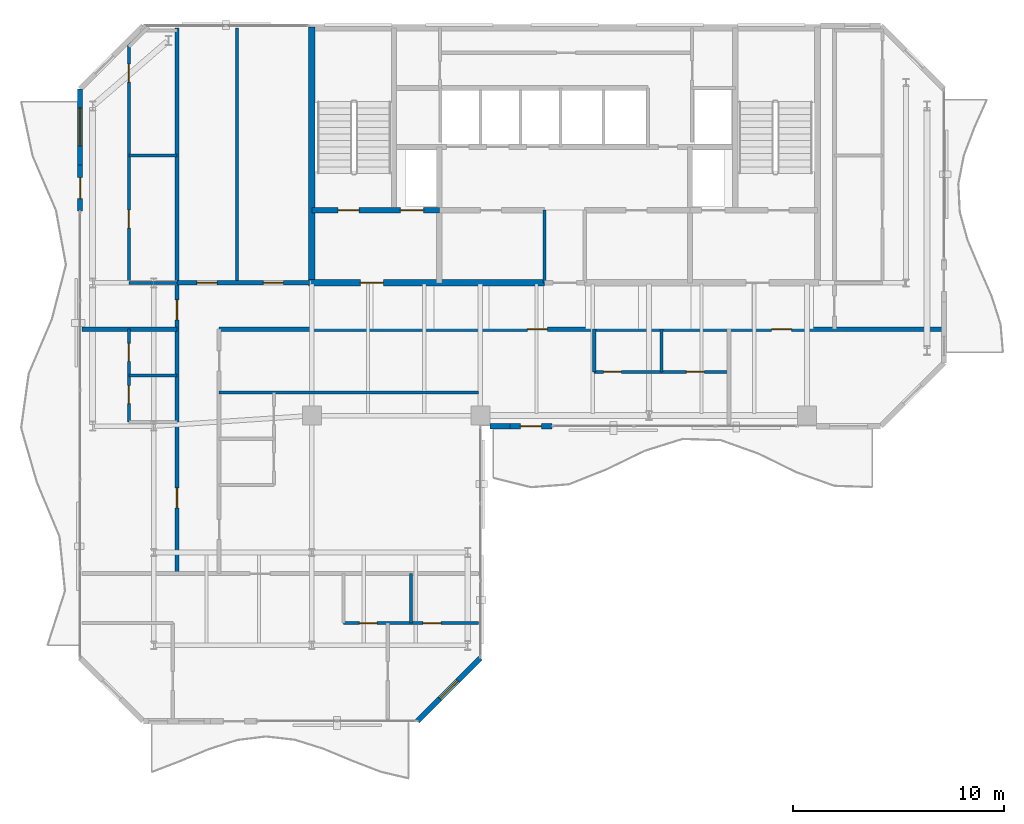
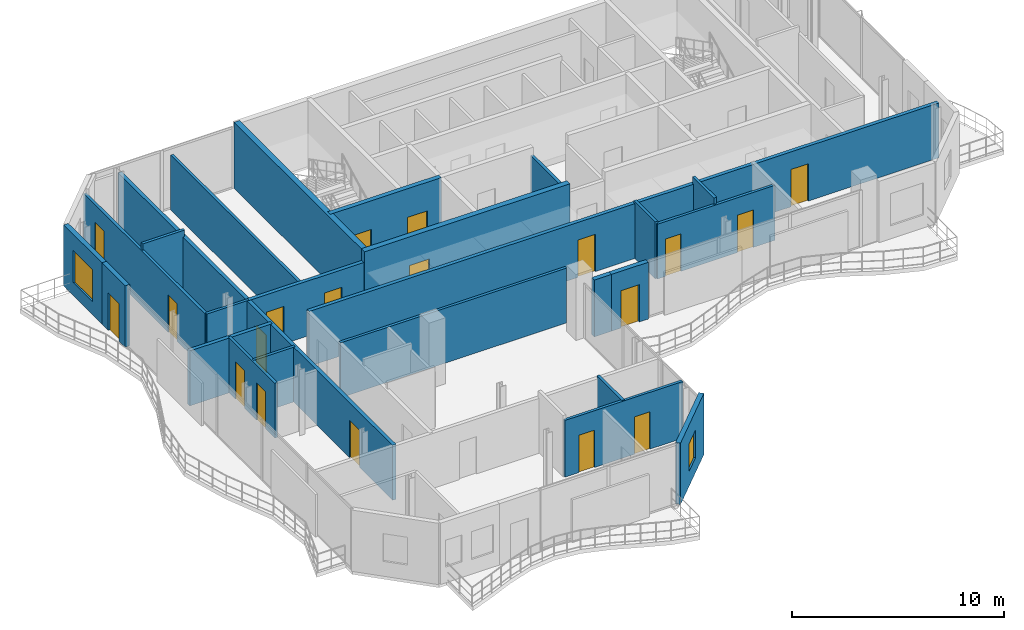
# One storey, part 18 of 23: 25 walls, 19 doors, 2 windows, 21 openings.
"""IFC4 building model written with IfcOpenShell, lengths in metres."""

from ifc_helpers import new_model, si_unit, direction, frame, frame_2d, origin, place, context, subcontext, project, spatial, rectangle, extrude, material, layer, layer_set, type_object, element, fill, save


model = new_model("IFC4")

# Units and contexts
model_context = context("Model", 3, precision=1e-05, world=origin(), true_north=direction((0.0, 1.0)))
body_context = subcontext(model_context, "Body", "Model", "MODEL_VIEW")
ifc_project = project(units=[si_unit("LENGTHUNIT", "METRE"), si_unit("AREAUNIT", "SQUARE_METRE"), si_unit("VOLUMEUNIT", "CUBIC_METRE"), si_unit("PLANEANGLEUNIT", "RADIAN"), si_unit("MASSUNIT", "GRAM", prefix="KILO")], contexts=[model_context])

# Site, building, storey
site_placement = place(None, origin())
site = spatial("IfcSite", under=ifc_project, at=site_placement, CompositionType="ELEMENT")
building_placement = place(site_placement, origin())
building = spatial("IfcBuilding", under=site, at=building_placement, Name="Catumbela Crestline Tower", CompositionType="ELEMENT")
storey_placement = place(building_placement, frame((0.0, 0.0, 241.2)))
storey = spatial("IfcBuildingStorey", under=building, at=storey_placement, Name="L62", CompositionType="ELEMENT", Elevation=241.2)

# Wall, openings, doors
ifc_material_1 = material(Name="Concrete C50/60", Category="concrete")
ifc_layer_1 = layer(ifc_material_1, 0.25, Name="Concrete C50/60")
ifc_layer_set_1 = layer_set([ifc_layer_1], Name="Concrete C50/60")
wall_type_1 = type_object("IfcWallType", Name="CW-250D", PredefinedType="SHEAR", material=ifc_layer_set_1)
wall_1_placement = place(storey_placement, frame((16.0, 34.25, 0.0), z_axis=(0.0, 0.0, 1.0), x_axis=(1.0, 0.0, 0.0)))
wall_1 = element("IfcWall", 1, at=wall_1_placement, inside=storey, type_object=wall_type_1, Name="L62 Structural Core Shear Wall ST1S", PredefinedType="SHEAR", context=body_context, shape_type="SweptSolid", body=[
    extrude(rectangle(XDim=6.05, YDim=0.25, at=frame_2d((3.025, 0.0))), origin(), (0.0, 0.0, 1.0), 3.8),
])
opening_1_placement = place(wall_1_placement, frame((1.25, 0.0, 0.0)))
opening_1 = element("IfcOpeningElement", 2, at=opening_1_placement, cuts=wall_1, Name="Opening DF9-100", PredefinedType="OPENING", context=body_context, shape_type="SweptSolid", body=[
    extrude(rectangle(XDim=1.0, YDim=2.15, at=frame_2d((0.5, 1.075))), frame((0.0, 0.135, 0.0), z_axis=(0.0, -1.0, 0.0), x_axis=(1.0, 0.0, 0.0)), (0.0, 0.0, 1.0), 0.27),
])
opening_2_placement = place(wall_1_placement, frame((4.2, 0.0, 0.0)))
opening_2 = element("IfcOpeningElement", 3, at=opening_2_placement, cuts=wall_1, Name="Opening LD-110", PredefinedType="OPENING", context=body_context, shape_type="SweptSolid", body=[
    extrude(rectangle(XDim=1.1, YDim=2.15, at=frame_2d((0.55, 1.075))), frame((0.0, 0.135, 0.0), z_axis=(0.0, -1.0, 0.0), x_axis=(1.0, 0.0, 0.0)), (0.0, 0.0, 1.0), 0.27),
])
ifc_material_2 = material(Name="Stainless steel EN 1.4401", Category="steel")
door_type_1 = type_object("IfcDoorType", Name="DF9-100", OperationType="NOTDEFINED", PredefinedType="DOOR", material=ifc_material_2)
door_1_placement = place(opening_1_placement, origin())
door_1 = element("IfcDoor", 4, at=door_1_placement, inside=storey, type_object=door_type_1, Name="L62 Interior Door DR-L62-ST01", OperationType="SINGLE_SWING_LEFT", OverallHeight=2.15, OverallWidth=1.0, PredefinedType="DOOR", context=body_context, shape_type="SweptSolid", body=[
    extrude(rectangle(XDim=1.0, YDim=2.15, at=frame_2d((0.5, 1.075))), frame((0.0, 0.025, 0.0), z_axis=(0.0, -1.0, 0.0), x_axis=(1.0, 0.0, 0.0)), (0.0, 0.0, 1.0), 0.05),
])
fill(opening_1, door_1)
door_type_2 = type_object("IfcDoorType", Name="LD-110", OperationType="NOTDEFINED", PredefinedType="DOOR", material=ifc_material_2)
door_2_placement = place(opening_2_placement, origin())
door_2 = element("IfcDoor", 5, at=door_2_placement, inside=storey, type_object=door_type_2, Name="L62 Lift Landing Sliding Door FL-01", OperationType="DOUBLE_DOOR_SLIDING", OverallHeight=2.15, OverallWidth=1.1, PredefinedType="DOOR", context=body_context, shape_type="SweptSolid", body=[
    extrude(rectangle(XDim=1.1, YDim=2.15, at=frame_2d((0.55, 1.075))), frame((0.0, 0.025, 0.0), z_axis=(0.0, -1.0, 0.0), x_axis=(1.0, 0.0, 0.0)), (0.0, 0.0, 1.0), 0.05),
])
fill(opening_2, door_2)

# Wall
ifc_material_3 = material(Name="Concrete C45/55", Category="concrete")
ifc_layer_2 = layer(ifc_material_3, 0.3, Name="Concrete C45/55")
ifc_layer_set_2 = layer_set([ifc_layer_2], Name="Concrete C45/55")
wall_type_2 = type_object("IfcWallType", Name="CW-300C", PredefinedType="SHEAR", material=ifc_layer_set_2)
wall_2_placement = place(storey_placement, frame((16.0, 30.65, 0.0), z_axis=(0.0, 0.0, 1.0), x_axis=(0.0, 1.0, 0.0)))
element("IfcWall", 6, at=wall_2_placement, inside=storey, type_object=wall_type_2, Name="L62 Structural Core Shear Wall W", PredefinedType="SHEAR", context=body_context, shape_type="SweptSolid", body=[
    extrude(rectangle(XDim=12.3, YDim=0.3, at=frame_2d((6.15, 0.0))), origin(), (0.0, 0.0, 1.0), 3.8),
])

# Wall, opening, door
wall_3_placement = place(storey_placement, frame((15.85, 30.8, 0.0), z_axis=(0.0, 0.0, 1.0), x_axis=(1.0, 0.0, 0.0)))
wall_3 = element("IfcWall", 7, at=wall_3_placement, inside=storey, type_object=wall_type_2, Name="L62 Structural Core Shear Wall SW", PredefinedType="SHEAR", context=body_context, shape_type="SweptSolid", body=[
    extrude(rectangle(XDim=11.2, YDim=0.3, at=frame_2d((5.6, 0.0))), origin(), (0.0, 0.0, 1.0), 3.8),
])
opening_3_placement = place(wall_3_placement, frame((2.45, 0.0, 0.0)))
opening_3 = element("IfcOpeningElement", 8, at=opening_3_placement, cuts=wall_3, Name="Opening DF9-110", PredefinedType="OPENING", context=body_context, shape_type="SweptSolid", body=[
    extrude(rectangle(XDim=1.1, YDim=2.15, at=frame_2d((0.55, 1.075))), frame((0.0, 0.16, 0.0), z_axis=(0.0, -1.0, 0.0), x_axis=(1.0, 0.0, 0.0)), (0.0, 0.0, 1.0), 0.32),
])
door_type_3 = type_object("IfcDoorType", Name="DF9-110", OperationType="NOTDEFINED", PredefinedType="DOOR", material=ifc_material_2)
door_3_placement = place(opening_3_placement, origin())
door_3 = element("IfcDoor", 9, at=door_3_placement, inside=storey, type_object=door_type_3, Name="L62 Interior Door DR-L62-FFW-S", OperationType="SINGLE_SWING_LEFT", OverallHeight=2.15, OverallWidth=1.1, PredefinedType="DOOR", context=body_context, shape_type="SweptSolid", body=[
    extrude(rectangle(XDim=1.1, YDim=2.15, at=frame_2d((0.55, 1.075))), frame((0.0, 0.025, 0.0), z_axis=(0.0, -1.0, 0.0), x_axis=(1.0, 0.0, 0.0)), (0.0, 0.0, 1.0), 0.05),
])
fill(opening_3, door_3)

# Wall, openings, doors
ifc_material_4 = material(Name="Acoustic gypsum and mineral-wool partition")
ifc_layer_3 = layer(ifc_material_4, 0.2, Name="Acoustic gypsum and mineral-wool partition")
ifc_layer_set_3 = layer_set([ifc_layer_3], Name="Acoustic gypsum and mineral-wool partition")
wall_type_3 = type_object("IfcWallType", Name="WC-200", PredefinedType="PARTITIONING", material=ifc_layer_set_3)
wall_4_placement = place(storey_placement, frame((11.6, 28.6, 0.0), z_axis=(0.0, 0.0, 1.0), x_axis=(1.0, 0.0, 0.0)))
wall_4 = element("IfcWall", 10, at=wall_4_placement, inside=storey, type_object=wall_type_3, Name="L62 Interior Partition PW-L62-RCWR", PredefinedType="PARTITIONING", context=body_context, shape_type="SweptSolid", body=[
    extrude(rectangle(XDim=34.3, YDim=0.2, at=frame_2d((17.15, 0.0))), origin(), (0.0, 0.0, 1.0), 3.16),
])
opening_4_placement = place(wall_4_placement, frame((14.625, 0.0, 0.0)))
opening_4 = element("IfcOpeningElement", 11, at=opening_4_placement, cuts=wall_4, Name="Opening DF6-095", PredefinedType="OPENING", context=body_context, shape_type="SweptSolid", body=[
    extrude(rectangle(XDim=0.95, YDim=2.15, at=frame_2d((0.475, 1.075))), frame((0.0, 0.11, 0.0), z_axis=(0.0, -1.0, 0.0), x_axis=(1.0, 0.0, 0.0)), (0.0, 0.0, 1.0), 0.22),
])
opening_5_placement = place(wall_4_placement, frame((26.225, 0.0, 0.0)))
opening_5 = element("IfcOpeningElement", 12, at=opening_5_placement, cuts=wall_4, Name="Opening DF6-095", PredefinedType="OPENING", context=body_context, shape_type="SweptSolid", body=[
    extrude(rectangle(XDim=0.95, YDim=2.15, at=frame_2d((0.475, 1.075))), frame((0.0, 0.11, 0.0), z_axis=(0.0, -1.0, 0.0), x_axis=(1.0, 0.0, 0.0)), (0.0, 0.0, 1.0), 0.22),
])
ifc_material_5 = material(Name="Aluminium alloy AW-6060-T66", Category="aluminium")
door_type_4 = type_object("IfcDoorType", Name="DF6-095", OperationType="NOTDEFINED", PredefinedType="DOOR", material=ifc_material_5)
door_4_placement = place(opening_4_placement, origin())
door_4 = element("IfcDoor", 13, at=door_4_placement, inside=storey, type_object=door_type_4, Name="L62 Interior Door DR-L62-S1-ENT", OperationType="SINGLE_SWING_LEFT", OverallHeight=2.15, OverallWidth=0.95, PredefinedType="DOOR", context=body_context, shape_type="SweptSolid", body=[
    extrude(rectangle(XDim=0.95, YDim=2.15, at=frame_2d((0.475, 1.075))), frame((0.0, 0.025, 0.0), z_axis=(0.0, -1.0, 0.0), x_axis=(1.0, 0.0, 0.0)), (0.0, 0.0, 1.0), 0.05),
])
fill(opening_4, door_4)
door_5_placement = place(opening_5_placement, origin())
door_5 = element("IfcDoor", 14, at=door_5_placement, inside=storey, type_object=door_type_4, Name="L62 Interior Door DR-L62-RWIN-ENT", OperationType="SINGLE_SWING_LEFT", OverallHeight=2.15, OverallWidth=0.95, PredefinedType="DOOR", context=body_context, shape_type="SweptSolid", body=[
    extrude(rectangle(XDim=0.95, YDim=2.15, at=frame_2d((0.475, 1.075))), frame((0.0, 0.025, 0.0), z_axis=(0.0, -1.0, 0.0), x_axis=(1.0, 0.0, 0.0)), (0.0, 0.0, 1.0), 0.05),
])
fill(opening_5, door_5)

wall_5_placement = place(storey_placement, frame((9.6, 17.0, 0.0), z_axis=(0.0, 0.0, 1.0), x_axis=(0.0, 1.0, 0.0)))
wall_5 = element("IfcWall", 15, at=wall_5_placement, inside=storey, type_object=wall_type_3, Name="L62 Interior Partition PW-L62-NW1-ENT", PredefinedType="PARTITIONING", context=body_context, shape_type="SweptSolid", body=[
    extrude(rectangle(XDim=25.9, YDim=0.2, at=frame_2d((12.95, 0.0))), origin(), (0.0, 0.0, 1.0), 3.16),
])
opening_6_placement = place(wall_5_placement, frame((12.045, 0.0, 0.0)))
opening_6 = element("IfcOpeningElement", 16, at=opening_6_placement, cuts=wall_5, Name="Opening DF6-095", PredefinedType="OPENING", context=body_context, shape_type="SweptSolid", body=[
    extrude(rectangle(XDim=0.95, YDim=2.15, at=frame_2d((0.475, 1.075))), frame((0.0, 0.11, 0.0), z_axis=(0.0, -1.0, 0.0), x_axis=(1.0, 0.0, 0.0)), (0.0, 0.0, 1.0), 0.22),
])
opening_7_placement = place(wall_5_placement, frame((3.125, 0.0, 0.0)))
opening_7 = element("IfcOpeningElement", 17, at=opening_7_placement, cuts=wall_5, Name="Opening DF6-095", PredefinedType="OPENING", context=body_context, shape_type="SweptSolid", body=[
    extrude(rectangle(XDim=0.95, YDim=2.15, at=frame_2d((0.475, 1.075))), frame((0.0, 0.11, 0.0), z_axis=(0.0, -1.0, 0.0), x_axis=(1.0, 0.0, 0.0)), (0.0, 0.0, 1.0), 0.22),
])
door_6_placement = place(opening_6_placement, origin())
door_6 = element("IfcDoor", 18, at=door_6_placement, inside=storey, type_object=door_type_4, Name="L62 Interior Door DR-L62-NW1-ENT", OperationType="SINGLE_SWING_LEFT", OverallHeight=2.15, OverallWidth=0.95, PredefinedType="DOOR", context=body_context, shape_type="SweptSolid", body=[
    extrude(rectangle(XDim=0.95, YDim=2.15, at=frame_2d((0.475, 1.075))), frame((0.0, 0.025, 0.0), z_axis=(0.0, -1.0, 0.0), x_axis=(1.0, 0.0, 0.0)), (0.0, 0.0, 1.0), 0.05),
])
fill(opening_6, door_6)
door_7_placement = place(opening_7_placement, origin())
door_7 = element("IfcDoor", 19, at=door_7_placement, inside=storey, type_object=door_type_4, Name="L62 Interior Door DR-L62-WL1-ENT", OperationType="SINGLE_SWING_LEFT", OverallHeight=2.15, OverallWidth=0.95, PredefinedType="DOOR", context=body_context, shape_type="SweptSolid", body=[
    extrude(rectangle(XDim=0.95, YDim=2.15, at=frame_2d((0.475, 1.075))), frame((0.0, 0.025, 0.0), z_axis=(0.0, -1.0, 0.0), x_axis=(1.0, 0.0, 0.0)), (0.0, 0.0, 1.0), 0.05),
])
fill(opening_7, door_7)

wall_6_placement = place(storey_placement, frame((9.6, 30.8, 0.0), z_axis=(0.0, 0.0, 1.0), x_axis=(1.0, 0.0, 0.0)))
wall_6 = element("IfcWall", 20, at=wall_6_placement, inside=storey, type_object=wall_type_3, Name="L62 Interior Partition PW-L62-NWST-ENT", PredefinedType="PARTITIONING", context=body_context, shape_type="SweptSolid", body=[
    extrude(rectangle(XDim=6.3, YDim=0.2, at=frame_2d((3.15, 0.0))), origin(), (0.0, 0.0, 1.0), 3.16),
])
opening_8_placement = place(wall_6_placement, frame((0.95, 0.0, 0.0)))
opening_8 = element("IfcOpeningElement", 21, at=opening_8_placement, cuts=wall_6, Name="Opening DF6-095", PredefinedType="OPENING", context=body_context, shape_type="SweptSolid", body=[
    extrude(rectangle(XDim=0.95, YDim=2.15, at=frame_2d((0.475, 1.075))), frame((0.0, 0.11, 0.0), z_axis=(0.0, -1.0, 0.0), x_axis=(1.0, 0.0, 0.0)), (0.0, 0.0, 1.0), 0.22),
])
opening_9_placement = place(wall_6_placement, frame((4.1, 0.0, 0.0)))
opening_9 = element("IfcOpeningElement", 22, at=opening_9_placement, cuts=wall_6, Name="Opening DF6-095", PredefinedType="OPENING", context=body_context, shape_type="SweptSolid", body=[
    extrude(rectangle(XDim=0.95, YDim=2.15, at=frame_2d((0.475, 1.075))), frame((0.0, 0.11, 0.0), z_axis=(0.0, -1.0, 0.0), x_axis=(1.0, 0.0, 0.0)), (0.0, 0.0, 1.0), 0.22),
])
door_8_placement = place(opening_8_placement, origin())
door_8 = element("IfcDoor", 23, at=door_8_placement, inside=storey, type_object=door_type_4, Name="L62 Interior Door DR-L62-NWST-ENT", OperationType="SINGLE_SWING_LEFT", OverallHeight=2.15, OverallWidth=0.95, PredefinedType="DOOR", context=body_context, shape_type="SweptSolid", body=[
    extrude(rectangle(XDim=0.95, YDim=2.15, at=frame_2d((0.475, 1.075))), frame((0.0, 0.025, 0.0), z_axis=(0.0, -1.0, 0.0), x_axis=(1.0, 0.0, 0.0)), (0.0, 0.0, 1.0), 0.05),
])
fill(opening_8, door_8)
door_9_placement = place(opening_9_placement, origin())
door_9 = element("IfcDoor", 24, at=door_9_placement, inside=storey, type_object=door_type_4, Name="L62 Interior Door DR-L62-NWMT-ENT", OperationType="SINGLE_SWING_LEFT", OverallHeight=2.15, OverallWidth=0.95, PredefinedType="DOOR", context=body_context, shape_type="SweptSolid", body=[
    extrude(rectangle(XDim=0.95, YDim=2.15, at=frame_2d((0.475, 1.075))), frame((0.0, 0.025, 0.0), z_axis=(0.0, -1.0, 0.0), x_axis=(1.0, 0.0, 0.0)), (0.0, 0.0, 1.0), 0.05),
])
fill(opening_9, door_9)

# Wall, opening, window
ifc_material_6 = material(Name="Angolan grey-ochre granite", Category="masonry")
ifc_layer_4 = layer(ifc_material_6, 0.25, Name="Angolan grey-ochre granite")
ifc_layer_set_4 = layer_set([ifc_layer_4], Name="Angolan grey-ochre granite")
wall_type_4 = type_object("IfcWallType", Name="WE-250", PredefinedType="STANDARD", material=ifc_layer_set_4)
wall_7_placement = place(storey_placement, frame((21.0, 10.0, 0.0), z_axis=(0.0, 0.0, 1.0), x_axis=(0.707106781187, 0.707106781187, 0.0)))
wall_7 = element("IfcWall", 25, at=wall_7_placement, inside=storey, type_object=wall_type_4, Name="L62 Granite Punched Window Wall 1-1", PredefinedType="STANDARD", context=body_context, shape_type="SweptSolid", body=[
    extrude(rectangle(XDim=4.2426, YDim=0.25, at=frame_2d((2.1213, 0.0))), origin(), (0.0, 0.0, 1.0), 3.53),
])
opening_10_placement = place(wall_7_placement, frame((1.5213, 0.0, 0.85)))
opening_10 = element("IfcOpeningElement", 26, at=opening_10_placement, cuts=wall_7, Name="Opening WN-02", PredefinedType="OPENING", context=body_context, shape_type="SweptSolid", body=[
    extrude(rectangle(XDim=1.2, YDim=1.6, at=frame_2d((0.6, 0.8))), frame((0.0, 0.135, 0.0), z_axis=(0.0, -1.0, 0.0), x_axis=(1.0, 0.0, 0.0)), (0.0, 0.0, 1.0), 0.27),
])
ifc_material_7 = material(Name="Low-E laminated solar-control double glazing", Category="glass")
window_type_1 = type_object("IfcWindowType", Name="WO-1200", PartitioningType="SINGLE_PANEL", PredefinedType="WINDOW", material=ifc_material_7)
window_1_placement = place(opening_10_placement, origin())
window_1 = element("IfcWindow", 27, at=window_1_placement, inside=storey, type_object=window_type_1, Name="L62 Facade Vision Window 456", OverallHeight=1.6, OverallWidth=1.2, PartitioningType="SINGLE_PANEL", PredefinedType="WINDOW", context=body_context, shape_type="SweptSolid", body=[
    extrude(rectangle(XDim=1.2, YDim=1.6, at=frame_2d((0.6, 0.8))), frame((0.0, 0.03, 0.0), z_axis=(0.0, -1.0, 0.0), x_axis=(1.0, 0.0, 0.0)), (0.0, 0.0, 1.0), 0.06),
])
fill(opening_10, window_1)

# Wall, opening, door
wall_8_placement = place(storey_placement, frame((25.4, 24.0, 0.0), z_axis=(0.0, 0.0, 1.0), x_axis=(1.0, 0.0, 0.0)))
wall_8 = element("IfcWall", 28, at=wall_8_placement, inside=storey, type_object=wall_type_4, Name="L62 Exterior Threshold Portal Wall DR-L62-WBAL-1", PredefinedType="STANDARD", context=body_context, shape_type="SweptSolid", body=[
    extrude(rectangle(XDim=2.0, YDim=0.25, at=frame_2d((1.0, 0.0))), origin(), (0.0, 0.0, 1.0), 3.27),
])
opening_11_placement = place(wall_8_placement, frame((0.5, 0.0, 0.0)))
opening_11 = element("IfcOpeningElement", 29, at=opening_11_placement, cuts=wall_8, Name="Opening DB-L62-1", PredefinedType="OPENING", context=body_context, shape_type="SweptSolid", body=[
    extrude(rectangle(XDim=1.0, YDim=2.15, at=frame_2d((0.5, 1.075))), frame((0.0, 0.135, 0.0), z_axis=(0.0, -1.0, 0.0), x_axis=(1.0, 0.0, 0.0)), (0.0, 0.0, 1.0), 0.27),
])
door_type_5 = type_object("IfcDoorType", Name="DB-1000", OperationType="NOTDEFINED", PredefinedType="DOOR", material=ifc_material_5)
door_10_placement = place(opening_11_placement, origin())
door_10 = element("IfcDoor", 30, at=door_10_placement, inside=storey, type_object=door_type_5, Name="L62 Wave Balcony Terrace Door 1", OperationType="SINGLE_SWING_RIGHT", OverallHeight=2.15, OverallWidth=1.0, PredefinedType="DOOR", context=body_context, shape_type="SweptSolid", body=[
    extrude(rectangle(XDim=1.0, YDim=2.15, at=frame_2d((0.5, 1.075))), frame((0.0, 0.025, 0.0), z_axis=(0.0, -1.0, 0.0), x_axis=(1.0, 0.0, 0.0)), (0.0, 0.0, 1.0), 0.05),
])
fill(opening_11, door_10)

# Wall
wall_9_placement = place(storey_placement, frame((24.45, 24.0, 0.0), z_axis=(0.0, 0.0, 1.0), x_axis=(1.0, 0.0, 0.0)))
element("IfcWall", 31, at=wall_9_placement, inside=storey, type_object=wall_type_4, Name="L62 Granite Punched Window Wall 3-1", PredefinedType="STANDARD", context=body_context, shape_type="SweptSolid", body=[
    extrude(rectangle(XDim=0.95, YDim=0.25, at=frame_2d((0.475, 0.0))), origin(), (0.0, 0.0, 1.0), 3.27),
])

# Wall, opening, door
wall_10_placement = place(storey_placement, frame((5.0, 36.4, 0.0), z_axis=(0.0, 0.0, 1.0), x_axis=(0.0, -1.0, 0.0)))
wall_10 = element("IfcWall", 32, at=wall_10_placement, inside=storey, type_object=wall_type_4, Name="L62 Exterior Threshold Portal Wall DR-L62-WBAL-4", PredefinedType="STANDARD", context=body_context, shape_type="SweptSolid", body=[
    extrude(rectangle(XDim=2.2, YDim=0.25, at=frame_2d((1.1, 0.0))), origin(), (0.0, 0.0, 1.0), 3.53),
])
opening_12_placement = place(wall_10_placement, frame((0.6, 0.0, 0.0)))
opening_12 = element("IfcOpeningElement", 33, at=opening_12_placement, cuts=wall_10, Name="Opening DB-L62-4", PredefinedType="OPENING", context=body_context, shape_type="SweptSolid", body=[
    extrude(rectangle(XDim=1.0, YDim=2.15, at=frame_2d((0.5, 1.075))), frame((0.0, 0.135, 0.0), z_axis=(0.0, -1.0, 0.0), x_axis=(1.0, 0.0, 0.0)), (0.0, 0.0, 1.0), 0.27),
])
door_11_placement = place(opening_12_placement, origin())
door_11 = element("IfcDoor", 34, at=door_11_placement, inside=storey, type_object=door_type_5, Name="L62 Wave Balcony Terrace Door 4", OperationType="SINGLE_SWING_LEFT", OverallHeight=2.15, OverallWidth=1.0, PredefinedType="DOOR", context=body_context, shape_type="SweptSolid", body=[
    extrude(rectangle(XDim=1.0, YDim=2.15, at=frame_2d((0.5, 1.075))), frame((0.0, 0.025, 0.0), z_axis=(0.0, -1.0, 0.0), x_axis=(1.0, 0.0, 0.0)), (0.0, 0.0, 1.0), 0.05),
])
fill(opening_12, door_11)

# Wall, opening, window
wall_11_placement = place(storey_placement, frame((5.0, 40.0, 0.0), z_axis=(0.0, 0.0, 1.0), x_axis=(0.0, -1.0, 0.0)))
wall_11 = element("IfcWall", 35, at=wall_11_placement, inside=storey, type_object=wall_type_4, Name="L62 Granite Punched Window Wall 9-1", PredefinedType="STANDARD", context=body_context, shape_type="SweptSolid", body=[
    extrude(rectangle(XDim=3.6, YDim=0.25, at=frame_2d((1.8, 0.0))), origin(), (0.0, 0.0, 1.0), 3.53),
])
opening_13_placement = place(wall_11_placement, frame((0.9, 0.0, 0.75)))
opening_13 = element("IfcOpeningElement", 36, at=opening_13_placement, cuts=wall_11, Name="Opening WN-01", PredefinedType="OPENING", context=body_context, shape_type="SweptSolid", body=[
    extrude(rectangle(XDim=1.8, YDim=1.85, at=frame_2d((0.9, 0.925))), frame((0.0, 0.135, 0.0), z_axis=(0.0, -1.0, 0.0), x_axis=(1.0, 0.0, 0.0)), (0.0, 0.0, 1.0), 0.27),
])
window_type_2 = type_object("IfcWindowType", Name="WF-1800", PartitioningType="SINGLE_PANEL", PredefinedType="WINDOW", material=ifc_material_7)
window_2_placement = place(opening_13_placement, origin())
window_2 = element("IfcWindow", 37, at=window_2_placement, inside=storey, type_object=window_type_2, Name="L62 Facade Vision Window 463", OverallHeight=1.85, OverallWidth=1.8, PartitioningType="SINGLE_PANEL", PredefinedType="WINDOW", context=body_context, shape_type="SweptSolid", body=[
    extrude(rectangle(XDim=1.8, YDim=1.85, at=frame_2d((0.9, 0.925))), frame((0.0, 0.03, 0.0), z_axis=(0.0, -1.0, 0.0), x_axis=(1.0, 0.0, 0.0)), (0.0, 0.0, 1.0), 0.06),
])
fill(opening_13, window_2)

# Walls
ifc_layer_5 = layer(ifc_material_4, 0.15, Name="Acoustic gypsum and mineral-wool partition")
ifc_layer_set_5 = layer_set([ifc_layer_5], Name="Acoustic gypsum and mineral-wool partition")
wall_type_5 = type_object("IfcWallType", Name="WP-150", PredefinedType="PARTITIONING", material=ifc_layer_set_5)
wall_12_placement = place(storey_placement, frame((7.32, 30.8, 0.0), z_axis=(0.0, 0.0, 1.0), x_axis=(1.0, 0.0, 0.0)))
element("IfcWall", 38, at=wall_12_placement, inside=storey, type_object=wall_type_5, Name="L62 Interior Partition PW-L62-NW1-KBS", PredefinedType="PARTITIONING", context=body_context, shape_type="SweptSolid", body=[
    extrude(rectangle(XDim=2.28, YDim=0.15, at=frame_2d((1.14, 0.0))), origin(), (0.0, 0.0, 1.0), 3.16),
])
wall_13_placement = place(storey_placement, frame((7.32, 36.85, 0.0), z_axis=(0.0, 0.0, 1.0), x_axis=(1.0, 0.0, 0.0)))
element("IfcWall", 39, at=wall_13_placement, inside=storey, type_object=wall_type_5, Name="L62 Interior Partition PW-L62-NW1-KBM", PredefinedType="PARTITIONING", context=body_context, shape_type="SweptSolid", body=[
    extrude(rectangle(XDim=2.28, YDim=0.15, at=frame_2d((1.14, 0.0))), origin(), (0.0, 0.0, 1.0), 3.53),
])

# Wall, openings, doors
wall_14_placement = place(storey_placement, frame((7.32, 30.8, 0.0), z_axis=(0.0, 0.0, 1.0), x_axis=(0.0, 1.0, 0.0)))
wall_14 = element("IfcWall", 40, at=wall_14_placement, inside=storey, type_object=wall_type_5, Name="L62 Interior Partition PW-L62-NW1-SK1", PredefinedType="PARTITIONING", context=body_context, shape_type="SweptSolid", body=[
    extrude(rectangle(XDim=11.42, YDim=0.15, at=frame_2d((5.71, 0.0))), origin(), (0.0, 0.0, 1.0), 3.16),
])
opening_14_placement = place(wall_14_placement, frame((2.6, 0.0, 0.0)))
opening_14 = element("IfcOpeningElement", 41, at=opening_14_placement, cuts=wall_14, Name="Opening DI-085", PredefinedType="OPENING", context=body_context, shape_type="SweptSolid", body=[
    extrude(rectangle(XDim=0.85, YDim=2.15, at=frame_2d((0.425, 1.075))), frame((0.0, 0.085, 0.0), z_axis=(0.0, -1.0, 0.0), x_axis=(1.0, 0.0, 0.0)), (0.0, 0.0, 1.0), 0.17),
])
opening_15_placement = place(wall_14_placement, frame((9.5261, 0.0, 0.0)))
opening_15 = element("IfcOpeningElement", 42, at=opening_15_placement, cuts=wall_14, Name="Opening DI-085", PredefinedType="OPENING", context=body_context, shape_type="SweptSolid", body=[
    extrude(rectangle(XDim=0.85, YDim=2.15, at=frame_2d((0.425, 1.075))), frame((0.0, 0.085, 0.0), z_axis=(0.0, -1.0, 0.0), x_axis=(1.0, 0.0, 0.0)), (0.0, 0.0, 1.0), 0.17),
])
door_type_6 = type_object("IfcDoorType", Name="DI-085", OperationType="NOTDEFINED", PredefinedType="DOOR", material=ifc_material_5)
door_12_placement = place(opening_14_placement, origin())
door_12 = element("IfcDoor", 43, at=door_12_placement, inside=storey, type_object=door_type_6, Name="L62 Interior Door DR-L62-NW1-KIT", OperationType="SINGLE_SWING_LEFT", OverallHeight=2.15, OverallWidth=0.85, PredefinedType="DOOR", context=body_context, shape_type="SweptSolid", body=[
    extrude(rectangle(XDim=0.85, YDim=2.15, at=frame_2d((0.425, 1.075))), frame((0.0, 0.025, 0.0), z_axis=(0.0, -1.0, 0.0), x_axis=(1.0, 0.0, 0.0)), (0.0, 0.0, 1.0), 0.05),
])
fill(opening_14, door_12)
door_13_placement = place(opening_15_placement, origin())
door_13 = element("IfcDoor", 44, at=door_13_placement, inside=storey, type_object=door_type_6, Name="L62 Interior Door DR-L62-NW1-BTH", OperationType="SINGLE_SWING_RIGHT", OverallHeight=2.15, OverallWidth=0.85, PredefinedType="DOOR", context=body_context, shape_type="SweptSolid", body=[
    extrude(rectangle(XDim=0.85, YDim=2.15, at=frame_2d((0.425, 1.075))), frame((0.0, 0.025, 0.0), z_axis=(0.0, -1.0, 0.0), x_axis=(1.0, 0.0, 0.0)), (0.0, 0.0, 1.0), 0.05),
])
fill(opening_15, door_13)

# Walls
wall_15_placement = place(storey_placement, frame((12.45, 30.8, 0.0), z_axis=(0.0, 0.0, 1.0), x_axis=(0.0, 1.0, 0.0)))
element("IfcWall", 45, at=wall_15_placement, inside=storey, type_object=wall_type_5, Name="L62 Interior Partition PW-L62-NWSTM", PredefinedType="PARTITIONING", context=body_context, shape_type="SweptSolid", body=[
    extrude(rectangle(XDim=12.1, YDim=0.15, at=frame_2d((6.05, 0.0))), origin(), (0.0, 0.0, 1.0), 3.16),
])
wall_16_placement = place(storey_placement, frame((29.4, 26.576, 0.0), z_axis=(0.0, 0.0, 1.0), x_axis=(0.0, 1.0, 0.0)))
element("IfcWall", 46, at=wall_16_placement, inside=storey, type_object=wall_type_5, Name="L62 Interior Partition PW-L62-S1-KBW", PredefinedType="PARTITIONING", context=body_context, shape_type="SweptSolid", body=[
    extrude(rectangle(XDim=2.024, YDim=0.15, at=frame_2d((1.012, 0.0))), origin(), (0.0, 0.0, 1.0), 3.28),
])
wall_17_placement = place(storey_placement, frame((32.6, 26.576, 0.0), z_axis=(0.0, 0.0, 1.0), x_axis=(0.0, 1.0, 0.0)))
element("IfcWall", 47, at=wall_17_placement, inside=storey, type_object=wall_type_5, Name="L62 Interior Partition PW-L62-S1-KBM", PredefinedType="PARTITIONING", context=body_context, shape_type="SweptSolid", body=[
    extrude(rectangle(XDim=2.024, YDim=0.15, at=frame_2d((1.012, 0.0))), origin(), (0.0, 0.0, 1.0), 3.53),
])

# Wall, openings, doors
wall_18_placement = place(storey_placement, frame((29.4, 26.576, 0.0), z_axis=(0.0, 0.0, 1.0), x_axis=(1.0, 0.0, 0.0)))
wall_18 = element("IfcWall", 48, at=wall_18_placement, inside=storey, type_object=wall_type_5, Name="L62 Interior Partition PW-L62-S1-KBD1", PredefinedType="PARTITIONING", context=body_context, shape_type="SweptSolid", body=[
    extrude(rectangle(XDim=6.4, YDim=0.15, at=frame_2d((3.2, 0.0))), origin(), (0.0, 0.0, 1.0), 3.16),
])
opening_16_placement = place(wall_18_placement, frame((0.4453, 0.0, 0.0)))
opening_16 = element("IfcOpeningElement", 49, at=opening_16_placement, cuts=wall_18, Name="Opening DI-085", PredefinedType="OPENING", context=body_context, shape_type="SweptSolid", body=[
    extrude(rectangle(XDim=0.85, YDim=2.15, at=frame_2d((0.425, 1.075))), frame((0.0, 0.085, 0.0), z_axis=(0.0, -1.0, 0.0), x_axis=(1.0, 0.0, 0.0)), (0.0, 0.0, 1.0), 0.17),
])
opening_17_placement = place(wall_18_placement, frame((4.375, 0.0, 0.0)))
opening_17 = element("IfcOpeningElement", 50, at=opening_17_placement, cuts=wall_18, Name="Opening DI-085", PredefinedType="OPENING", context=body_context, shape_type="SweptSolid", body=[
    extrude(rectangle(XDim=0.85, YDim=2.15, at=frame_2d((0.425, 1.075))), frame((0.0, 0.085, 0.0), z_axis=(0.0, -1.0, 0.0), x_axis=(1.0, 0.0, 0.0)), (0.0, 0.0, 1.0), 0.17),
])
door_14_placement = place(opening_16_placement, origin())
door_14 = element("IfcDoor", 51, at=door_14_placement, inside=storey, type_object=door_type_6, Name="L62 Interior Door DR-L62-S1-BTH", OperationType="SINGLE_SWING_LEFT", OverallHeight=2.15, OverallWidth=0.85, PredefinedType="DOOR", context=body_context, shape_type="SweptSolid", body=[
    extrude(rectangle(XDim=0.85, YDim=2.15, at=frame_2d((0.425, 1.075))), frame((0.0, 0.025, 0.0), z_axis=(0.0, -1.0, 0.0), x_axis=(1.0, 0.0, 0.0)), (0.0, 0.0, 1.0), 0.05),
])
fill(opening_16, door_14)
door_15_placement = place(opening_17_placement, origin())
door_15 = element("IfcDoor", 52, at=door_15_placement, inside=storey, type_object=door_type_6, Name="L62 Interior Door DR-L62-S1-KIT", OperationType="SINGLE_SWING_RIGHT", OverallHeight=2.15, OverallWidth=0.85, PredefinedType="DOOR", context=body_context, shape_type="SweptSolid", body=[
    extrude(rectangle(XDim=0.85, YDim=2.15, at=frame_2d((0.425, 1.075))), frame((0.0, 0.025, 0.0), z_axis=(0.0, -1.0, 0.0), x_axis=(1.0, 0.0, 0.0)), (0.0, 0.0, 1.0), 0.05),
])
fill(opening_17, door_15)

# Wall
wall_19_placement = place(storey_placement, frame((7.32, 26.4, 0.0), z_axis=(0.0, 0.0, 1.0), x_axis=(1.0, 0.0, 0.0)))
element("IfcWall", 53, at=wall_19_placement, inside=storey, type_object=wall_type_5, Name="L62 Interior Partition PW-L62-WL1-KBM", PredefinedType="PARTITIONING", context=body_context, shape_type="SweptSolid", body=[
    extrude(rectangle(XDim=2.28, YDim=0.15, at=frame_2d((1.14, 0.0))), origin(), (0.0, 0.0, 1.0), 3.16),
])

# Wall, openings, doors
wall_20_placement = place(storey_placement, frame((7.32, 24.2, 0.0), z_axis=(0.0, 0.0, 1.0), x_axis=(0.0, 1.0, 0.0)))
wall_20 = element("IfcWall", 54, at=wall_20_placement, inside=storey, type_object=wall_type_5, Name="L62 Interior Partition PW-L62-WL1-SK1", PredefinedType="PARTITIONING", context=body_context, shape_type="SweptSolid", body=[
    extrude(rectangle(XDim=4.4, YDim=0.15, at=frame_2d((2.2, 0.0))), origin(), (0.0, 0.0, 1.0), 3.16),
])
opening_18_placement = place(wall_20_placement, frame((0.8733, 0.0, 0.0)))
opening_18 = element("IfcOpeningElement", 55, at=opening_18_placement, cuts=wall_20, Name="Opening DI-085", PredefinedType="OPENING", context=body_context, shape_type="SweptSolid", body=[
    extrude(rectangle(XDim=0.85, YDim=2.15, at=frame_2d((0.425, 1.075))), frame((0.0, 0.085, 0.0), z_axis=(0.0, -1.0, 0.0), x_axis=(1.0, 0.0, 0.0)), (0.0, 0.0, 1.0), 0.17),
])
opening_19_placement = place(wall_20_placement, frame((2.875, 0.0, 0.0)))
opening_19 = element("IfcOpeningElement", 56, at=opening_19_placement, cuts=wall_20, Name="Opening DI-085", PredefinedType="OPENING", context=body_context, shape_type="SweptSolid", body=[
    extrude(rectangle(XDim=0.85, YDim=2.15, at=frame_2d((0.425, 1.075))), frame((0.0, 0.085, 0.0), z_axis=(0.0, -1.0, 0.0), x_axis=(1.0, 0.0, 0.0)), (0.0, 0.0, 1.0), 0.17),
])
door_16_placement = place(opening_18_placement, origin())
door_16 = element("IfcDoor", 57, at=door_16_placement, inside=storey, type_object=door_type_6, Name="L62 Interior Door DR-L62-WL1-KIT", OperationType="SINGLE_SWING_LEFT", OverallHeight=2.15, OverallWidth=0.85, PredefinedType="DOOR", context=body_context, shape_type="SweptSolid", body=[
    extrude(rectangle(XDim=0.85, YDim=2.15, at=frame_2d((0.425, 1.075))), frame((0.0, 0.025, 0.0), z_axis=(0.0, -1.0, 0.0), x_axis=(1.0, 0.0, 0.0)), (0.0, 0.0, 1.0), 0.05),
])
fill(opening_18, door_16)
door_17_placement = place(opening_19_placement, origin())
door_17 = element("IfcDoor", 58, at=door_17_placement, inside=storey, type_object=door_type_6, Name="L62 Interior Door DR-L62-WL1-BTH", OperationType="SINGLE_SWING_RIGHT", OverallHeight=2.15, OverallWidth=0.85, PredefinedType="DOOR", context=body_context, shape_type="SweptSolid", body=[
    extrude(rectangle(XDim=0.85, YDim=2.15, at=frame_2d((0.425, 1.075))), frame((0.0, 0.025, 0.0), z_axis=(0.0, -1.0, 0.0), x_axis=(1.0, 0.0, 0.0)), (0.0, 0.0, 1.0), 0.05),
])
fill(opening_19, door_17)

# Walls
wall_21_placement = place(storey_placement, frame((11.6, 25.6, 0.0), z_axis=(0.0, 0.0, 1.0), x_axis=(1.0, 0.0, 0.0)))
element("IfcWall", 59, at=wall_21_placement, inside=storey, type_object=wall_type_5, Name="L62 Interior Partition PW-L62-RWRP", PredefinedType="PARTITIONING", context=body_context, shape_type="SweptSolid", body=[
    extrude(rectangle(XDim=12.3, YDim=0.15, at=frame_2d((6.15, 0.0))), origin(), (0.0, 0.0, 1.0), 3.16),
])
wall_22_placement = place(storey_placement, frame((20.7, 14.65, 0.0), z_axis=(0.0, 0.0, 1.0), x_axis=(0.0, 1.0, 0.0)))
element("IfcWall", 60, at=wall_22_placement, inside=storey, type_object=wall_type_5, Name="L62 Interior Partition PW-L62-SH1-KBM", PredefinedType="PARTITIONING", context=body_context, shape_type="SweptSolid", body=[
    extrude(rectangle(XDim=2.35, YDim=0.15, at=frame_2d((1.175, 0.0))), origin(), (0.0, 0.0, 1.0), 3.28),
])

# Wall, openings, doors
wall_23_placement = place(storey_placement, frame((17.5, 14.65, 0.0), z_axis=(0.0, 0.0, 1.0), x_axis=(1.0, 0.0, 0.0)))
wall_23 = element("IfcWall", 61, at=wall_23_placement, inside=storey, type_object=wall_type_5, Name="L62 Interior Partition PW-L62-SH1-KBD1", PredefinedType="PARTITIONING", context=body_context, shape_type="SweptSolid", body=[
    extrude(rectangle(XDim=6.4, YDim=0.15, at=frame_2d((3.2, 0.0))), origin(), (0.0, 0.0, 1.0), 3.27),
])
opening_20_placement = place(wall_23_placement, frame((0.7532, 0.0, 0.0)))
opening_20 = element("IfcOpeningElement", 62, at=opening_20_placement, cuts=wall_23, Name="Opening DI-085", PredefinedType="OPENING", context=body_context, shape_type="SweptSolid", body=[
    extrude(rectangle(XDim=0.85, YDim=2.15, at=frame_2d((0.425, 1.075))), frame((0.0, 0.085, 0.0), z_axis=(0.0, -1.0, 0.0), x_axis=(1.0, 0.0, 0.0)), (0.0, 0.0, 1.0), 0.17),
])
opening_21_placement = place(wall_23_placement, frame((3.7705, 0.0, 0.0)))
opening_21 = element("IfcOpeningElement", 63, at=opening_21_placement, cuts=wall_23, Name="Opening DI-085", PredefinedType="OPENING", context=body_context, shape_type="SweptSolid", body=[
    extrude(rectangle(XDim=0.85, YDim=2.15, at=frame_2d((0.425, 1.075))), frame((0.0, 0.085, 0.0), z_axis=(0.0, -1.0, 0.0), x_axis=(1.0, 0.0, 0.0)), (0.0, 0.0, 1.0), 0.17),
])
door_18_placement = place(opening_20_placement, origin())
door_18 = element("IfcDoor", 64, at=door_18_placement, inside=storey, type_object=door_type_6, Name="L62 Interior Door DR-L62-SH1-BTH", OperationType="SINGLE_SWING_LEFT", OverallHeight=2.15, OverallWidth=0.85, PredefinedType="DOOR", context=body_context, shape_type="SweptSolid", body=[
    extrude(rectangle(XDim=0.85, YDim=2.15, at=frame_2d((0.425, 1.075))), frame((0.0, 0.025, 0.0), z_axis=(0.0, -1.0, 0.0), x_axis=(1.0, 0.0, 0.0)), (0.0, 0.0, 1.0), 0.05),
])
fill(opening_20, door_18)
door_19_placement = place(opening_21_placement, origin())
door_19 = element("IfcDoor", 65, at=door_19_placement, inside=storey, type_object=door_type_6, Name="L62 Interior Door DR-L62-SH1-KIT", OperationType="SINGLE_SWING_RIGHT", OverallHeight=2.15, OverallWidth=0.85, PredefinedType="DOOR", context=body_context, shape_type="SweptSolid", body=[
    extrude(rectangle(XDim=0.85, YDim=2.15, at=frame_2d((0.425, 1.075))), frame((0.0, 0.025, 0.0), z_axis=(0.0, -1.0, 0.0), x_axis=(1.0, 0.0, 0.0)), (0.0, 0.0, 1.0), 0.05),
])
fill(opening_21, door_19)

# Walls
ifc_layer_6 = layer(ifc_material_4, 0.2, Name="Acoustic gypsum and mineral-wool partition")
ifc_layer_set_6 = layer_set([ifc_layer_6], Name="Acoustic gypsum and mineral-wool partition")
wall_type_6 = type_object("IfcWallType", Name="WY-200", PredefinedType="PARTITIONING", material=ifc_layer_set_6)
wall_24_placement = place(storey_placement, frame((5.1, 28.6, 0.0), z_axis=(0.0, 0.0, 1.0), x_axis=(1.0, 0.0, 0.0)))
element("IfcWall", 66, at=wall_24_placement, inside=storey, type_object=wall_type_6, Name="L62 Interior Partition PW-L62-RCWNW", PredefinedType="PARTITIONING", context=body_context, shape_type="SweptSolid", body=[
    extrude(rectangle(XDim=4.5, YDim=0.2, at=frame_2d((2.25, 0.0))), origin(), (0.0, 0.0, 1.0), 3.16),
])
ifc_layer_7 = layer(ifc_material_4, 0.15, Name="Acoustic gypsum and mineral-wool partition")
ifc_layer_set_7 = layer_set([ifc_layer_7], Name="Acoustic gypsum and mineral-wool partition")
wall_type_7 = type_object("IfcWallType", Name="WS-150", PredefinedType="PLUMBINGWALL", material=ifc_layer_set_7)
wall_25_placement = place(storey_placement, frame((27.05, 30.8, 0.0), z_axis=(0.0, 0.0, 1.0), x_axis=(0.0, 1.0, 0.0)))
element("IfcWall", 67, at=wall_25_placement, inside=storey, type_object=wall_type_7, Name="L62 Interior Partition PW-L62-THRW", PredefinedType="PLUMBINGWALL", context=body_context, shape_type="SweptSolid", body=[
    extrude(rectangle(XDim=3.45, YDim=0.15, at=frame_2d((1.725, 0.0))), origin(), (0.0, 0.0, 1.0), 3.28),
])

save(model, "model.ifc")
